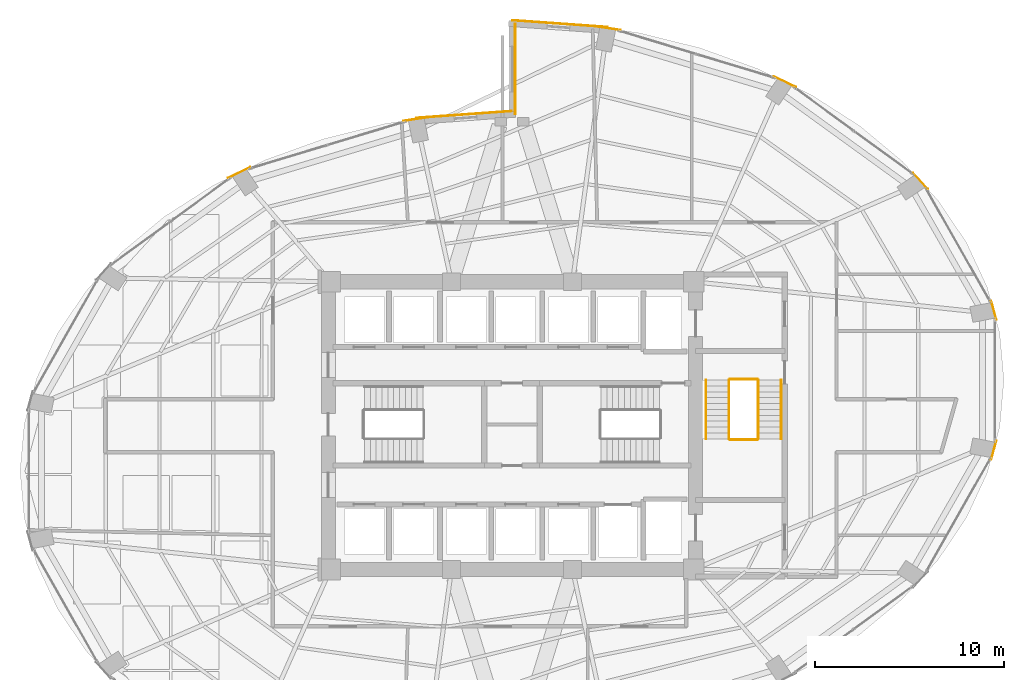
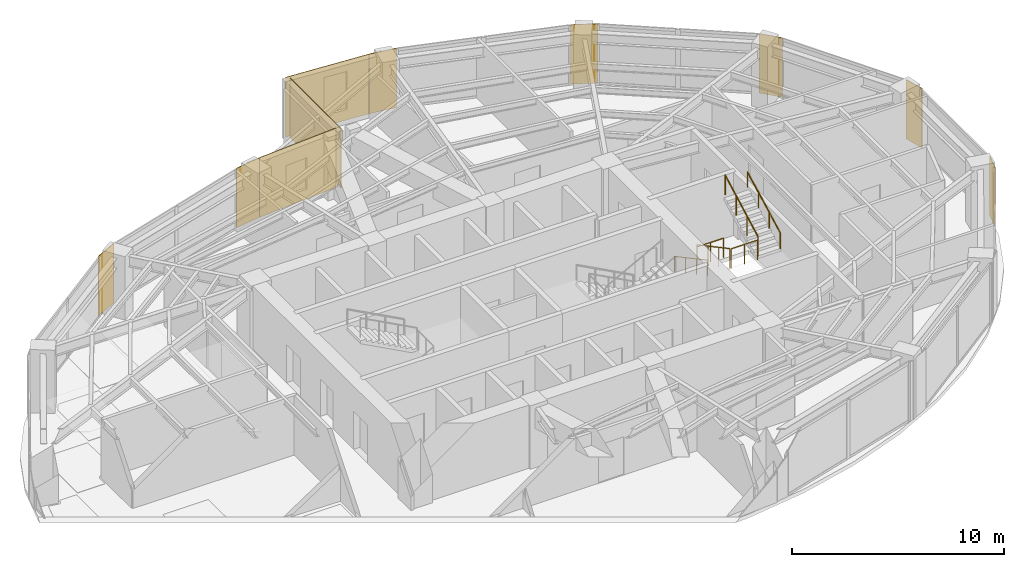
# One storey, part 23 of 23: 10 coverings, 6 railings.
"""IFC4 building model written with IfcOpenShell, lengths in metres."""

import ifcopenshell
import ifcopenshell.guid

model = None  # the IFC model being written
_history = None  # IfcOwnerHistory: only IFC2X3 demands one
_inside = {}  # id of a spatial element -> (the spatial element, [elements in it])
_under = {}  # id of a project, library or spatial element -> (it, [spatial elements below it])
_declared = {}  # id of a project -> (the project, [libraries it declares])
_typed = {}  # id of a type object -> (the type object, [elements of that type])
_made_of = {}  # id of a material, layer set ... -> (it, [elements and type objects made of it])


def new_model(schema):
    """Start an empty IFC model of exactly this schema.

    Asked for "IFC4X3", IfcOpenShell would pick the latest addendum, in which some entities
    have other attributes; the version numbers below select the first issue.
    IFC2X3 requires an IfcOwnerHistory on every rooted entity: one is made here for all.
    """
    global model, _history
    if schema == "IFC4X3":
        model = ifcopenshell.file(schema_version=(4, 3, 0, 0))
    else:
        model = ifcopenshell.file(schema=schema)
    _inside.clear()
    _under.clear()
    _declared.clear()
    _typed.clear()
    _made_of.clear()
    _history = None
    if model.schema == "IFC2X3":
        org = make("IfcOrganization", Name="unknown")
        user = make(
            "IfcPersonAndOrganization",
            ThePerson=make("IfcPerson", FamilyName="unknown"),
            TheOrganization=org,
        )
        app = make(
            "IfcApplication",
            ApplicationDeveloper=org,
            Version="unknown",
            ApplicationFullName="unknown",
            ApplicationIdentifier="unknown",
        )
        _history = make(
            "IfcOwnerHistory",
            OwningUser=user,
            OwningApplication=app,
            ChangeAction="ADDED",
            CreationDate=0,
        )
    return model


def make(cls, **values):
    """One entity of the class cls with the attributes given. An attribute that is None is left unset."""
    return model.create_entity(
        cls, **{name: value for name, value in values.items() if value is not None}
    )


def rooted(cls, **values):
    """An entity with a GlobalId (a new one), such as an element, a storey or a relation."""
    return make(cls, GlobalId=ifcopenshell.guid.new(), OwnerHistory=_history, **values)


def si_unit(unit_type, name, prefix=None):
    """IfcSIUnit, for example si_unit("LENGTHUNIT", "METRE", prefix="MILLI")."""
    return make("IfcSIUnit", UnitType=unit_type, Prefix=prefix, Name=name)


def assignment(units):
    """IfcUnitAssignment: the units of a project."""
    return None if units is None else make("IfcUnitAssignment", Units=units)


def point(xyz):
    """IfcCartesianPoint."""
    return None if xyz is None else make("IfcCartesianPoint", Coordinates=xyz)


def direction(xyz):
    """IfcDirection."""
    return None if xyz is None else make("IfcDirection", DirectionRatios=xyz)


def frame(location, z_axis=None, x_axis=None):
    """IfcAxis2Placement3D, a coordinate frame: its origin and axes. An axis left out is left unset."""
    return make(
        "IfcAxis2Placement3D",
        Location=point(location),
        Axis=direction(z_axis),
        RefDirection=direction(x_axis),
    )


def frame_2d(location, x_axis=None):
    """IfcAxis2Placement2D, a coordinate frame in the plane: its origin and x axis."""
    return make(
        "IfcAxis2Placement2D", Location=point(location), RefDirection=direction(x_axis)
    )


def origin():
    """The frame at (0, 0, 0) with its axes left unset."""
    return frame((0.0, 0.0, 0.0))


def origin_2d():
    """The frame at (0, 0) in the plane with its x axis left unset."""
    return frame_2d((0.0, 0.0))


def place(relative_to, where):
    """IfcLocalPlacement: puts the frame where relative to a parent placement (None: the world)."""
    return make(
        "IfcLocalPlacement", PlacementRelTo=relative_to, RelativePlacement=where
    )


def context(
    kind, dimensions, precision=None, world=None, true_north=None, identifier=None
):
    """IfcGeometricRepresentationContext, for example the 3D "Model" context."""
    return make(
        "IfcGeometricRepresentationContext",
        ContextIdentifier=identifier,
        ContextType=kind,
        CoordinateSpaceDimension=dimensions,
        Precision=precision,
        WorldCoordinateSystem=world,
        TrueNorth=true_north,
    )


def subcontext(parent, identifier, kind, view, scale=None):
    """IfcGeometricRepresentationSubContext, for example "Body" below "Model"."""
    return make(
        "IfcGeometricRepresentationSubContext",
        ContextIdentifier=identifier,
        ContextType=kind,
        ParentContext=parent,
        TargetScale=scale,
        TargetView=view,
    )


def project(units=None, contexts=None):
    """IfcProject with its units and contexts."""
    return rooted(
        "IfcProject",
        Name="project",
        RepresentationContexts=contexts,
        UnitsInContext=assignment(units),
    )


def spatial(cls, under=None, at=None, **own):
    """A site, building, storey or space (cls), placed at a placement, below another one or the project."""
    s = rooted(cls, ObjectPlacement=at, **own)
    if under is not None:
        _under.setdefault(under.id(), (under, []))[1].append(s)
    return s


def profile(cls, at=None, kind="AREA", **sizes):
    """A parametric profile (cls). Its sizes go by their IFC names, for example OverallWidth=200.0."""
    return make(cls, ProfileType=kind, Position=at, **sizes)


def rectangle(**sizes):
    """IfcRectangleProfileDef."""
    return profile("IfcRectangleProfileDef", **sizes)


def circle(**sizes):
    """IfcCircleProfileDef."""
    return profile("IfcCircleProfileDef", **sizes)


def extrude(swept, where, along, depth):
    """IfcExtrudedAreaSolid: the profile swept, set in the frame where, extruded along a direction by depth."""
    return make(
        "IfcExtrudedAreaSolid",
        SweptArea=swept,
        Position=where,
        ExtrudedDirection=direction(along),
        Depth=depth,
    )


def shape(context_of_items, identifier, shape_type, items):
    """IfcShapeRepresentation: the items that make up one representation, for example the "Body"."""
    return make(
        "IfcShapeRepresentation",
        ContextOfItems=context_of_items,
        RepresentationIdentifier=identifier,
        RepresentationType=shape_type,
        Items=items,
    )


def material(Name=None, Category=None):
    """IfcMaterial."""
    return make("IfcMaterial", Name=Name, Category=Category)


def layer(
    of_material, thickness, ventilated=None, Name=None, Category=None, Priority=None
):
    """IfcMaterialLayer: one layer of a wall or slab, of a material (None: an air gap)."""
    return make(
        "IfcMaterialLayer",
        Material=of_material,
        LayerThickness=thickness,
        IsVentilated=ventilated,
        Name=Name,
        Category=Category,
        Priority=Priority,
    )


def layer_set(layers, Name=None):
    """IfcMaterialLayerSet."""
    return make("IfcMaterialLayerSet", MaterialLayers=layers, LayerSetName=Name)


def made_of(thing, what):
    """Note that an element or type object is made of a material, layer set ...; save() writes the relation."""
    if what is not None:
        _made_of.setdefault(what.id(), (what, []))[1].append(thing)
    return thing


def type_object(cls, material=None, **own):
    """A type object (cls), such as IfcWallType, which elements share."""
    return made_of(rooted(cls, **own), material)


def element(
    cls,
    number,
    at=None,
    inside=None,
    cuts=None,
    type_object=None,
    material=None,
    context=None,
    identifier="Body",
    shape_type=None,
    held_by="IfcProductDefinitionShape",
    body=None,
    shapes=None,
    **own,
):
    """One element of the class cls, such as IfcWall. Its Tag is "e" and its number.

    at: its placement. inside: the storey or other place that contains it. cuts: it is an
    opening in that element (IfcRelVoidsElement). A single representation is given by context,
    identifier, shape_type and body (its items); several are given by shapes. held_by: the class
    of the entity that holds the representations. save() writes the other relations.
    """
    e = rooted(cls, Tag="e%d" % number, ObjectPlacement=at, **own)
    if body is not None:
        shapes = [shape(context, identifier, shape_type, body)]
    if shapes is not None:
        e.Representation = make(held_by, Representations=shapes)
    if inside is not None:
        _inside.setdefault(inside.id(), (inside, []))[1].append(e)
    if cuts is not None:
        rooted(
            "IfcRelVoidsElement", RelatingBuildingElement=cuts, RelatedOpeningElement=e
        )
    if type_object is not None:
        _typed.setdefault(type_object.id(), (type_object, []))[1].append(e)
    return made_of(e, material)


def aggregate(whole, parts):
    """IfcRelAggregates: a whole, such as a stair, and the parts it consists of."""
    return rooted("IfcRelAggregates", RelatingObject=whole, RelatedObjects=parts)


def save(model, path):
    """Write the relations noted so far, then the file.

    IfcRelAggregates (storeys below a building ...), IfcRelContainedInSpatialStructure (elements
    in a storey), IfcRelDefinesByType, IfcRelAssociatesMaterial and IfcRelDeclares: one each for
    every whole, place, type object, material and project.
    """
    for whole, parts in _under.values():
        aggregate(whole, parts)
    for where, things in _inside.values():
        rooted(
            "IfcRelContainedInSpatialStructure",
            RelatedElements=things,
            RelatingStructure=where,
        )
    for kind, things in _typed.values():
        rooted("IfcRelDefinesByType", RelatedObjects=things, RelatingType=kind)
    for what, things in _made_of.values():
        rooted("IfcRelAssociatesMaterial", RelatedObjects=things, RelatingMaterial=what)
    for by, libraries in _declared.values():
        rooted("IfcRelDeclares", RelatingContext=by, RelatedDefinitions=libraries)
    model.write(path)


model = new_model("IFC4")

# Units and contexts
model_context = context("Model", 3, precision=1e-05, world=origin(), true_north=direction((0.0, 1.0)))
body_context = subcontext(model_context, "Body", "Model", "MODEL_VIEW")
ifc_project = project(units=[si_unit("LENGTHUNIT", "METRE"), si_unit("AREAUNIT", "SQUARE_METRE"), si_unit("VOLUMEUNIT", "CUBIC_METRE"), si_unit("PLANEANGLEUNIT", "RADIAN"), si_unit("MASSUNIT", "GRAM", prefix="KILO")], contexts=[model_context])

# Site, building, storey
site_placement = place(None, origin())
site = spatial("IfcSite", under=ifc_project, at=site_placement, CompositionType="ELEMENT")
building_placement = place(site_placement, origin())
building = spatial("IfcBuilding", under=site, at=building_placement, Name="Lazwardi Medical Tower", CompositionType="ELEMENT")
storey_placement = place(building_placement, frame((0.0, 0.0, 107.280029296875)))
storey = spatial("IfcBuildingStorey", under=building, at=storey_placement, Name="L27", CompositionType="ELEMENT", Elevation=107.280029296875)

# Coverings
ifc_material_1 = material(Name="Anodised bronze aluminium cassette cladding", Category="aluminium")
ifc_layer_1 = layer(ifc_material_1, 0.030029296875)
ifc_layer_set_1 = layer_set([ifc_layer_1], Name="Anodised bronze aluminium cassette cladding")
covering_type_1 = type_object("IfcCoveringType", Name="COV-CLD-BRZ", PredefinedType="CLADDING", material=ifc_layer_set_1)
for number, where, z_axis, x_axis, name in (
    (1, (61.459716796875, 26.700927734375, 0.0), (0.0, 0.0, 1.0), (0.262696108164, 0.964878621774, 0.0), "L27 Mega-column bronze cassette cover M04"),
    (2, (61.459716796875, 34.09912109375, 0.0), (0.0, 0.0, 1.0), (-0.262696108164, 0.964878621774, 0.0), "L27 Mega-column bronze cassette cover M05"),
):
    element("IfcCovering", number, at=place(storey_placement, frame(where, z_axis=z_axis, x_axis=x_axis)), inside=storey, type_object=covering_type_1, Name=name, PredefinedType="CLADDING", context=body_context, shape_type="SweptSolid", body=[
        extrude(rectangle(XDim=1.04296875, YDim=0.030029296875, at=origin_2d()), origin(), (0.0, 0.0, 1.0), 3.427978515625),
    ])
covering_1_placement = place(storey_placement, frame((57.583740234375, 40.93408203125, 0.0), z_axis=(0.0, 0.0, 1.0), x_axis=(-0.674925949214, 0.737885467453, 0.0)))
element("IfcCovering", 3, at=covering_1_placement, inside=storey, type_object=covering_type_1, Name="L27 Mega-column bronze cassette cover M06", PredefinedType="CLADDING", context=body_context, shape_type="SweptSolid", body=[
    extrude(rectangle(XDim=1.15625, YDim=0.030029296875, at=origin_2d()), origin(), (0.0, 0.0, 1.0), 3.427978515625),
])
covering_2_placement = place(storey_placement, frame((50.421875, 46.16552734375, 0.0), z_axis=(0.0, 0.0, 1.0), x_axis=(-0.898679250201, 0.438606435495, 0.0)))
element("IfcCovering", 4, at=covering_2_placement, inside=storey, type_object=covering_type_1, Name="L27 Mega-column bronze cassette cover M07", PredefinedType="CLADDING", context=body_context, shape_type="SweptSolid", body=[
    extrude(rectangle(XDim=1.2998046875, YDim=0.030029296875, at=origin_2d()), origin(), (0.0, 0.0, 1.0), 3.427978515625),
])
for number, where, z_axis, x_axis, name in (
    (5, (41.064208984375, 48.99658203125, 0.0), (0.0, 0.0, 1.0), (-0.989609019093, 0.143784523955, 0.0), "L27 Mega-column bronze cassette cover M08"),
    (6, (30.935791015625, 44.19677734375, 0.0), (0.0, 0.0, 1.0), (-0.989609019093, -0.143784523955, 0.0), "L27 Mega-column bronze cassette cover M09"),
):
    element("IfcCovering", number, at=place(storey_placement, frame(where, z_axis=z_axis, x_axis=x_axis)), inside=storey, type_object=covering_type_1, Name=name, PredefinedType="CLADDING", context=body_context, shape_type="SweptSolid", body=[
        extrude(rectangle(XDim=1.392333984375, YDim=0.030029296875, at=origin_2d()), origin(), (0.0, 0.0, 1.0), 3.427978515625),
    ])
covering_3_placement = place(storey_placement, frame((21.578125, 41.365478515625, 0.0), z_axis=(0.0, 0.0, 1.0), x_axis=(-0.898679250201, -0.438606435495, 0.0)))
element("IfcCovering", 7, at=covering_3_placement, inside=storey, type_object=covering_type_1, Name="L27 Mega-column bronze cassette cover M10", PredefinedType="CLADDING", context=body_context, shape_type="SweptSolid", body=[
    extrude(rectangle(XDim=1.2998046875, YDim=0.030029296875, at=origin_2d()), origin(), (0.0, 0.0, 1.0), 3.427978515625),
])
ifc_material_2 = material(Name="Turquoise glazed ceramic tilework cladding", Category="masonry")
ifc_layer_2 = layer(ifc_material_2, 0.034912109375)
ifc_layer_set_2 = layer_set([ifc_layer_2], Name="Turquoise glazed ceramic tilework cladding")
covering_type_2 = type_object("IfcCoveringType", Name="COV-CLD-TRQ", PredefinedType="CLADDING", material=ifc_layer_set_2)
covering_4_placement = place(storey_placement, frame((38.533203125, 49.23388671875, 0.0), z_axis=(0.0, 0.0, 1.0), x_axis=(-0.997431665415, 0.07162452672, 0.0)))
element("IfcCovering", 8, at=covering_4_placement, inside=storey, type_object=covering_type_2, Name="L27 Turquoise glazed ceramic tilework cladding", PredefinedType="CLADDING", context=body_context, shape_type="SweptSolid", body=[
    extrude(rectangle(XDim=5.05419921875, YDim=0.034912109375, at=origin_2d()), origin(), (0.0, 0.0, 1.0), 3.427978515625),
])
covering_5_placement = place(storey_placement, frame((33.466552734375, 44.43408203125, 0.0), z_axis=(0.0, 0.0, 1.0), x_axis=(-0.997431165357, -0.071631490105, 0.0)))
element("IfcCovering", 9, at=covering_5_placement, inside=storey, type_object=covering_type_2, Name="L27 Turquoise glazed ceramic tilework cladding", PredefinedType="CLADDING", context=body_context, shape_type="SweptSolid", body=[
    extrude(rectangle(XDim=5.0537109375, YDim=0.034912109375, at=origin_2d()), origin(), (0.0, 0.0, 1.0), 3.427978515625),
])
covering_6_placement = place(storey_placement, frame((36.175537109375, 46.840087890625, 0.0), z_axis=(0.0, 0.0, 1.0), x_axis=(0.0, -1.0, 0.0)))
element("IfcCovering", 10, at=covering_6_placement, inside=storey, type_object=covering_type_2, Name="L27 Turquoise glazed ceramic tilework iwan panel", PredefinedType="CLADDING", context=body_context, shape_type="SweptSolid", body=[
    extrude(rectangle(XDim=4.800048828125, YDim=0.034912109375, at=origin_2d()), origin(), (0.0, 0.0, 1.0), 3.427978515625),
])

# Railings
ifc_material_3 = material(Name="Stainless steel Grade 316", Category="steel")
railing_type_1 = type_object("IfcRailingType", Name="RLG-GRD-1150", PredefinedType="GUARDRAIL", material=ifc_material_3)
railing_1_placement = place(storey_placement, frame((47.469970703125, 30.39990234375, 0.165771484375)))
element("IfcRailing", 11, at=railing_1_placement, inside=storey, type_object=railing_type_1, Name="L27 ST3 stair guard 1", PredefinedType="GUARDRAIL", context=body_context, shape_type="SweptSolid", body=[
    extrude(circle(Radius=0.02392578125, at=origin_2d()), frame((0.0, 0.0, 1.1259765625), z_axis=(0.0, -0.881767849116, 0.471683644262), x_axis=(1.0, 0.0, 0.0)), (0.0, 0.0, 1.0), 3.515380859375),
    extrude(circle(Radius=0.02099609375, at=origin_2d()), origin(), (0.0, 0.0, 1.0), 1.099853515625),
    extrude(circle(Radius=0.02099609375, at=origin_2d()), frame((0.0, -1.033203125, 0.552734375)), (0.0, 0.0, 1.0), 1.099853515625),
    extrude(circle(Radius=0.02099609375, at=origin_2d()), frame((0.0, -2.066650390625, 1.10546875)), (0.0, 0.0, 1.0), 1.099853515625),
    extrude(circle(Radius=0.02099609375, at=origin_2d()), frame((0.0, -3.099853515625, 1.658203125)), (0.0, 0.0, 1.0), 1.099853515625),
])
railing_2_placement = place(storey_placement, frame((47.52001953125, 27.25, 1.823974609375)))
element("IfcRailing", 12, at=railing_2_placement, inside=storey, type_object=railing_type_1, Name="L27 ST3 stair guard 2", PredefinedType="GUARDRAIL", context=body_context, shape_type="SweptSolid", body=[
    extrude(circle(Radius=0.02392578125, at=origin_2d()), frame((0.0, 0.0, 1.1259765625), z_axis=(1.0, 0.0, 0.0), x_axis=(0.0, 1.0, 0.0)), (0.0, 0.0, 1.0), 1.43994140625),
    extrude(circle(Radius=0.02099609375, at=origin_2d()), origin(), (0.0, 0.0, 1.0), 1.099853515625),
    extrude(circle(Radius=0.02099609375, at=origin_2d()), frame((0.719970703125, 0.0, 0.0)), (0.0, 0.0, 1.0), 1.099853515625),
    extrude(circle(Radius=0.02099609375, at=origin_2d()), frame((1.43994140625, 0.0, 0.0)), (0.0, 0.0, 1.0), 1.099853515625),
])
railing_3_placement = place(storey_placement, frame((49.010009765625, 27.300048828125, 1.98974609375)))
element("IfcRailing", 13, at=railing_3_placement, inside=storey, type_object=railing_type_1, Name="L27 ST3 stair guard 3", PredefinedType="GUARDRAIL", context=body_context, shape_type="SweptSolid", body=[
    extrude(circle(Radius=0.02392578125, at=origin_2d()), frame((0.0, 0.0, 1.1259765625), z_axis=(0.0, 0.881767849116, 0.471683644262), x_axis=(-1.0, 0.0, 0.0)), (0.0, 0.0, 1.0), 3.515380859375),
    extrude(circle(Radius=0.02099609375, at=origin_2d()), origin(), (0.0, 0.0, 1.0), 1.099853515625),
    extrude(circle(Radius=0.02099609375, at=origin_2d()), frame((0.0, 1.033203125, 0.552734375)), (0.0, 0.0, 1.0), 1.099853515625),
    extrude(circle(Radius=0.02099609375, at=origin_2d()), frame((0.0, 2.066650390625, 1.10546875)), (0.0, 0.0, 1.0), 1.099853515625),
    extrude(circle(Radius=0.02099609375, at=origin_2d()), frame((0.0, 3.099853515625, 1.658203125)), (0.0, 0.0, 1.0), 1.099853515625),
])
railing_4_placement = place(storey_placement, frame((47.52001953125, 30.449951171875, 0.0)))
element("IfcRailing", 14, at=railing_4_placement, inside=storey, type_object=railing_type_1, Name="L27 ST3 stair guard 4", PredefinedType="GUARDRAIL", context=body_context, shape_type="SweptSolid", body=[
    extrude(circle(Radius=0.02392578125, at=origin_2d()), frame((0.0, 0.0, 1.1259765625), z_axis=(1.0, 0.0, 0.0), x_axis=(0.0, 1.0, 0.0)), (0.0, 0.0, 1.0), 1.43994140625),
    extrude(circle(Radius=0.02099609375, at=origin_2d()), origin(), (0.0, 0.0, 1.0), 1.099853515625),
    extrude(circle(Radius=0.02099609375, at=origin_2d()), frame((0.719970703125, 0.0, 0.0)), (0.0, 0.0, 1.0), 1.099853515625),
    extrude(circle(Radius=0.02099609375, at=origin_2d()), frame((1.43994140625, 0.0, 0.0)), (0.0, 0.0, 1.0), 1.099853515625),
])
railing_type_2 = type_object("IfcRailingType", Name="RLG-HND-920", PredefinedType="HANDRAIL", material=ifc_material_3)
railing_5_placement = place(storey_placement, frame((46.25, 30.39990234375, 0.165771484375)))
element("IfcRailing", 15, at=railing_5_placement, inside=storey, type_object=railing_type_2, Name="L27 ST3 stair handrail 1", PredefinedType="HANDRAIL", context=body_context, shape_type="SweptSolid", body=[
    extrude(circle(Radius=0.02392578125, at=origin_2d()), frame((0.0, 0.0, 0.8857421875), z_axis=(0.0, -0.881767849116, 0.471683644262), x_axis=(1.0, 0.0, 0.0)), (0.0, 0.0, 1.0), 3.515380859375),
    extrude(circle(Radius=0.02099609375, at=origin_2d()), origin(), (0.0, 0.0, 1.0), 0.85986328125),
    extrude(circle(Radius=0.02099609375, at=origin_2d()), frame((0.0, -1.033203125, 0.552734375)), (0.0, 0.0, 1.0), 0.85986328125),
    extrude(circle(Radius=0.02099609375, at=origin_2d()), frame((0.0, -2.066650390625, 1.10546875)), (0.0, 0.0, 1.0), 0.85986328125),
    extrude(circle(Radius=0.02099609375, at=origin_2d()), frame((0.0, -3.099853515625, 1.658203125)), (0.0, 0.0, 1.0), 0.85986328125),
])
railing_6_placement = place(storey_placement, frame((50.22998046875, 27.300048828125, 1.98974609375)))
element("IfcRailing", 16, at=railing_6_placement, inside=storey, type_object=railing_type_2, Name="L27 ST3 stair handrail 2", PredefinedType="HANDRAIL", context=body_context, shape_type="SweptSolid", body=[
    extrude(circle(Radius=0.02392578125, at=origin_2d()), frame((0.0, 0.0, 0.8857421875), z_axis=(0.0, 0.881767849116, 0.471683644262), x_axis=(-1.0, 0.0, 0.0)), (0.0, 0.0, 1.0), 3.515380859375),
    extrude(circle(Radius=0.02099609375, at=origin_2d()), origin(), (0.0, 0.0, 1.0), 0.85986328125),
    extrude(circle(Radius=0.02099609375, at=origin_2d()), frame((0.0, 1.033203125, 0.552734375)), (0.0, 0.0, 1.0), 0.85986328125),
    extrude(circle(Radius=0.02099609375, at=origin_2d()), frame((0.0, 2.066650390625, 1.10546875)), (0.0, 0.0, 1.0), 0.85986328125),
    extrude(circle(Radius=0.02099609375, at=origin_2d()), frame((0.0, 3.099853515625, 1.658203125)), (0.0, 0.0, 1.0), 0.85986328125),
])

save(model, "model.ifc")
